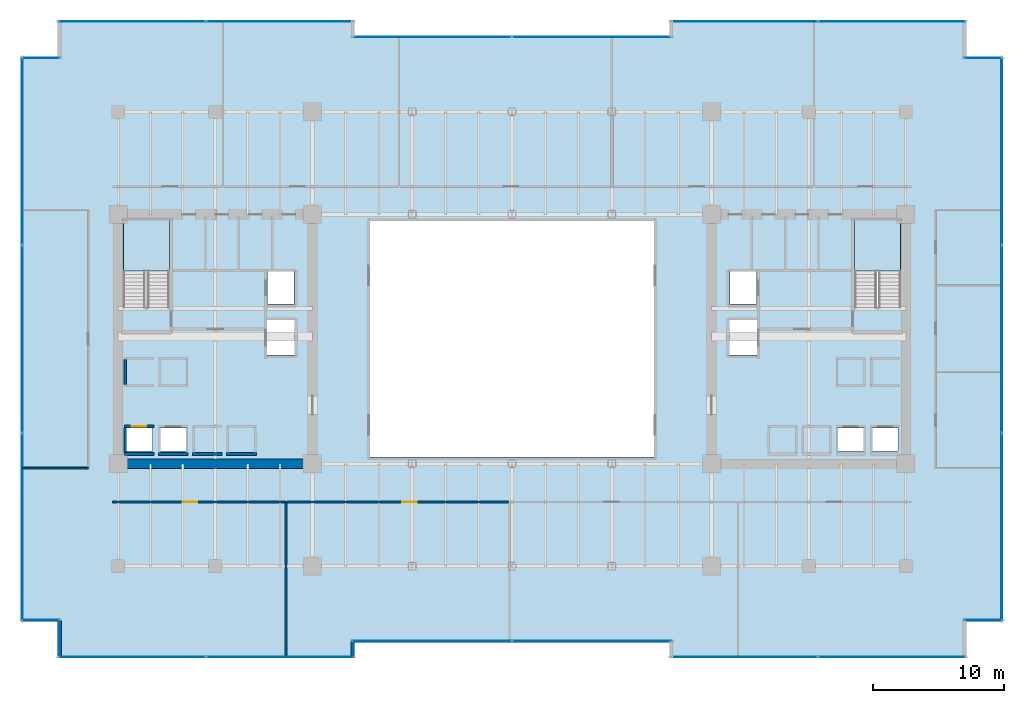
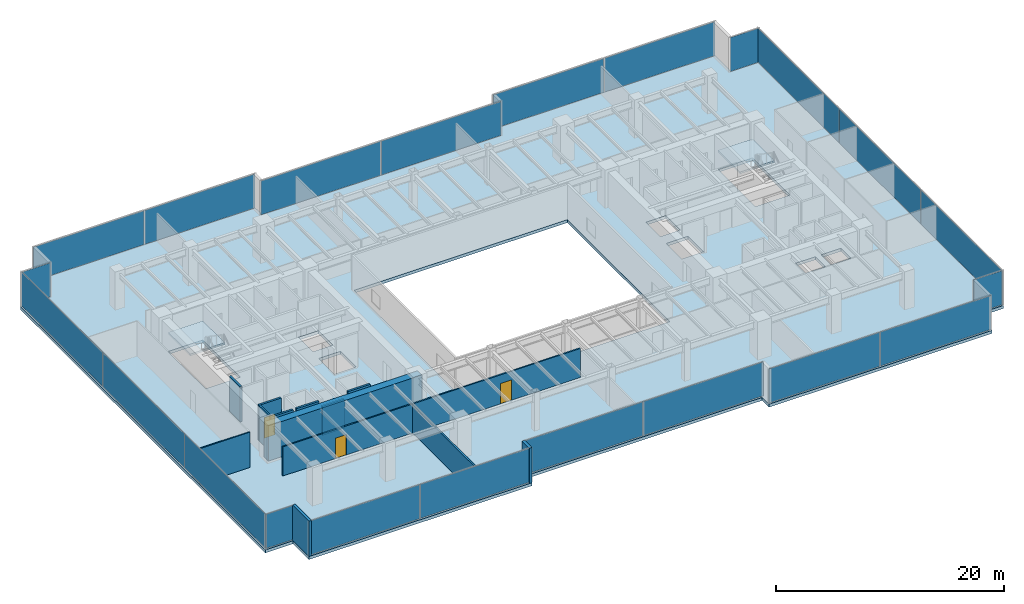
# One storey, part 28 of 35: 22 plates, 14 walls, 3 doors, 3 slabs, 3 openings, 14 elements without a shape of their own.
"""IFC4 building model written with IfcOpenShell, lengths in metres."""

from ifc_helpers import new_model, si_unit, direction, frame, frame_2d, origin, origin_2d, place, context, subcontext, project, spatial, polyline, rectangle, outline, extrude, source, transform, mapped, material, layer, layer_set, type_object, type_shapes, element, fill, aggregate, save


model = new_model("IFC4")

# Units and contexts
model_context = context("Model", 3, precision=1e-05, world=origin(), true_north=direction((0.0, 1.0)))
body_context = subcontext(model_context, "Body", "Model", "MODEL_VIEW")
ifc_project = project(units=[si_unit("LENGTHUNIT", "METRE"), si_unit("AREAUNIT", "SQUARE_METRE"), si_unit("VOLUMEUNIT", "CUBIC_METRE"), si_unit("PLANEANGLEUNIT", "RADIAN"), si_unit("MASSUNIT", "GRAM", prefix="KILO")], contexts=[model_context])

# Site, building, storey
site_placement = place(None, origin())
site = spatial("IfcSite", under=ifc_project, at=site_placement, CompositionType="ELEMENT")
building_placement = place(site_placement, origin())
building = spatial("IfcBuilding", under=site, at=building_placement, Name="Haelvirn Gate Laboratories", CompositionType="ELEMENT")
storey_placement = place(building_placement, frame((0.0, 0.0, 66.199951171875)))
storey = spatial("IfcBuildingStorey", under=building, at=storey_placement, Name="L16", CompositionType="ELEMENT", Elevation=66.199951171875)

# Stair, slab
ifc_material_1 = material(Name="Concrete C40/50", Category="concrete")
stair_type = type_object("IfcStairType", Name="ST-DOG-1650-R22", PredefinedType="HALF_TURN_STAIR", material=ifc_material_1)
stair_1_placement = place(storey_placement, origin())
stair_1 = element("IfcStair", 1, at=stair_1_placement, inside=storey, type_object=stair_type, Name="L16 Escape Stair ST1", PredefinedType="HALF_TURN_STAIR")
ifc_layer_1 = layer(ifc_material_1, 0.199951171875, Name="SL-STAIR-LND")
ifc_layer_set_1 = layer_set([ifc_layer_1], Name="Concrete C40/50")
slab_type_1 = type_object("IfcSlabType", Name="SL-STAIR-LND", PredefinedType="LANDING", material=ifc_layer_set_1)
slab_1_placement = place(storey_placement, frame((0.0, 0.0, 1.85009765625)))
slab_1 = element("IfcSlab", 2, at=slab_1_placement, type_object=slab_type_1, Name="ST1 landing 1", PredefinedType="LANDING", context=body_context, shape_type="SweptSolid", body=[
    extrude(outline(polyline([(11.300048828125, 29.5), (11.300048828125, 33.35009765625), (7.800048828125, 33.35009765625), (7.800048828125, 29.5), (11.300048828125, 29.5)])), origin(), (0.0, 0.0, 1.0), 0.199951171875),
])
aggregate(stair_1, [slab_1])

stair_2_placement = place(storey_placement, origin())
stair_2 = element("IfcStair", 3, at=stair_2_placement, inside=storey, type_object=stair_type, Name="L16 Escape Stair ST2", PredefinedType="HALF_TURN_STAIR")
slab_2_placement = place(storey_placement, frame((0.0, 0.0, 1.85009765625)))
slab_2 = element("IfcSlab", 4, at=slab_2_placement, type_object=slab_type_1, Name="ST2 landing 1", PredefinedType="LANDING", context=body_context, shape_type="SweptSolid", body=[
    extrude(outline(polyline([(67.0, 29.5), (67.0, 33.35009765625), (63.5, 33.35009765625), (63.5, 29.5), (67.0, 29.5)])), origin(), (0.0, 0.0, 1.0), 0.199951171875),
])
aggregate(stair_2, [slab_2])

# Slab
ifc_material_2 = material(Name="Concrete C50/60", Category="concrete")
ifc_layer_2 = layer(ifc_material_2, 0.320068359375, Name="SL-Z1-320")
ifc_layer_set_2 = layer_set([ifc_layer_2], Name="Concrete C50/60")
slab_type_2 = type_object("IfcSlabType", Name="SL-Z1-320", PredefinedType="FLOOR", material=ifc_layer_set_2)
slab_3_placement = place(storey_placement, frame((0.0, 0.0, -0.320068359375)))
element("IfcSlab", 5, at=slab_3_placement, inside=storey, type_object=slab_type_2, Name="L16 Structural Slab MAIN", PredefinedType="FLOOR", context=body_context, shape_type="SweptSolid", body=[
    extrude(outline(polyline([(2.800048828125, 0.0), (25.39990234375, 0.0), (25.39990234375, 1.199951171875), (49.39990234375, 1.199951171875), (49.39990234375, 0.0), (72.0, 0.0), (72.0, 2.800048828125), (74.800048828125, 2.800048828125), (74.800048828125, 45.800048828125), (72.0, 45.800048828125), (72.0, 48.60009765625), (49.39990234375, 48.60009765625), (49.39990234375, 47.39990234375), (25.39990234375, 47.39990234375), (25.39990234375, 48.60009765625), (2.800048828125, 48.60009765625), (2.800048828125, 45.800048828125), (0.0, 45.800048828125), (0.0, 2.800048828125), (2.800048828125, 2.800048828125), (2.800048828125, 0.0)]), holes=[polyline([(26.60009765625, 15.300048828125), (48.199951171875, 15.300048828125), (48.199951171875, 33.300048828125), (26.60009765625, 33.300048828125), (26.60009765625, 15.300048828125)]), polyline([(11.300048828125, 26.780029296875), (11.300048828125, 33.35009765625), (7.800048828125, 33.35009765625), (7.800048828125, 26.780029296875), (11.300048828125, 26.780029296875)]), polyline([(67.0, 26.780029296875), (67.0, 33.35009765625), (63.5, 33.35009765625), (63.5, 26.780029296875), (67.0, 26.780029296875)]), polyline([(7.989990234375, 15.77001953125), (10.010009765625, 15.77001953125), (10.010009765625, 17.510009765625), (7.989990234375, 17.510009765625), (7.989990234375, 15.77001953125)]), polyline([(10.590087890625, 15.77001953125), (12.610107421875, 15.77001953125), (12.610107421875, 17.510009765625), (10.590087890625, 17.510009765625), (10.590087890625, 15.77001953125)]), polyline([(18.7900390625, 26.969970703125), (20.81005859375, 26.969970703125), (20.81005859375, 29.510009765625), (18.7900390625, 29.510009765625), (18.7900390625, 26.969970703125)]), polyline([(18.68994140625, 23.070068359375), (20.909912109375, 23.070068359375), (20.909912109375, 25.81005859375), (18.68994140625, 25.81005859375), (18.68994140625, 23.070068359375)]), polyline([(64.7900390625, 15.77001953125), (66.81005859375, 15.77001953125), (66.81005859375, 17.510009765625), (64.7900390625, 17.510009765625), (64.7900390625, 15.77001953125)]), polyline([(62.18994140625, 15.77001953125), (64.2099609375, 15.77001953125), (64.2099609375, 17.510009765625), (62.18994140625, 17.510009765625), (62.18994140625, 15.77001953125)]), polyline([(53.989990234375, 26.969970703125), (56.010009765625, 26.969970703125), (56.010009765625, 29.510009765625), (53.989990234375, 29.510009765625), (53.989990234375, 26.969970703125)]), polyline([(53.889892578125, 23.070068359375), (56.110107421875, 23.070068359375), (56.110107421875, 25.81005859375), (53.889892578125, 25.81005859375), (53.889892578125, 23.070068359375)])]), origin(), (0.0, 0.0, 1.0), 0.320068359375),
])

# Curtain wall, plates
ifc_material_3 = material(Name="Anodised bronze unitised aluminium & triple low-E glass", Category="aluminium")
ifc_layer_3 = layer(ifc_material_3, 0.18408203125, Name="CW-SYS-2")
ifc_layer_set_3 = layer_set([ifc_layer_3], Name="Anodised bronze unitised aluminium & triple low-E glass")
curtain_wall_type_1 = type_object("IfcCurtainWallType", Name="CW-SYS-2", PredefinedType="NOTDEFINED", material=ifc_layer_set_3)
curtain_wall_1_placement = place(storey_placement, origin())
curtain_wall_1 = element("IfcCurtainWall", 6, at=curtain_wall_1_placement, inside=storey, type_object=curtain_wall_type_1, Name="L16 Unitised Curtain Wall CW-L16-P0-E02-1", PredefinedType="NOTDEFINED")
ifc_material_4 = material(Name="Bronze solar-control triple low-E IGU 44 mm", Category="glass")
ifc_layer_4 = layer(ifc_material_4, 0.0439453125, Name="CWP-IGU-44")
ifc_layer_set_4 = layer_set([ifc_layer_4], Name="Bronze solar-control triple low-E IGU 44 mm")
plate_type_1 = type_object("IfcPlateType", Name="CWP-IGU-44", PredefinedType="CURTAIN_PANEL", material=ifc_layer_set_4)
shared_shape_1 = source(origin(), body_context, "Body", "SweptSolid", [
    extrude(rectangle(XDim=12.12744140625, YDim=0.0439453125, at=origin_2d()), origin(), (0.0, 0.0, 1.0), 3.639892578125),
])
plate_1_placement = place(storey_placement, frame((31.298828125, 1.300048828125, 0.0703125), z_axis=(0.0, 0.0, 1.0), x_axis=(1.0, 0.0, 0.0)))
plate_1 = element("IfcPlate", 7, at=plate_1_placement, type_object=plate_type_1, Name="CW2 panel 1.1", PredefinedType="CURTAIN_PANEL", context=body_context, shape_type="MappedRepresentation", body=[
    mapped(shared_shape_1, transform((0.0, 0.0, 0.0), scale=1.0)),
])
plate_2_placement = place(storey_placement, frame((43.501220703125, 1.300048828125, 0.0703125), z_axis=(0.0, 0.0, 1.0), x_axis=(1.0, 0.0, 0.0)))
plate_2 = element("IfcPlate", 8, at=plate_2_placement, type_object=plate_type_1, Name="CW2 panel 2.1", PredefinedType="CURTAIN_PANEL", context=body_context, shape_type="MappedRepresentation", body=[
    mapped(shared_shape_1, transform((0.0, 0.0, 0.0), scale=1.0)),
])
aggregate(curtain_wall_1, [plate_1, plate_2])

curtain_wall_2_placement = place(storey_placement, origin())
curtain_wall_2 = element("IfcCurtainWall", 9, at=curtain_wall_2_placement, inside=storey, type_object=curtain_wall_type_1, Name="L16 Unitised Curtain Wall CW-L16-P0-E12-1", PredefinedType="NOTDEFINED")
plate_3_placement = place(storey_placement, frame((31.298828125, 47.300048828125, 0.0703125), z_axis=(0.0, 0.0, 1.0), x_axis=(1.0, 0.0, 0.0)))
plate_3 = element("IfcPlate", 10, at=plate_3_placement, type_object=plate_type_1, Name="CW2 panel 1.1", PredefinedType="CURTAIN_PANEL", context=body_context, shape_type="MappedRepresentation", body=[
    mapped(shared_shape_1, transform((0.0, 0.0, 0.0), scale=1.0)),
])
plate_4_placement = place(storey_placement, frame((43.501220703125, 47.300048828125, 0.0703125), z_axis=(0.0, 0.0, 1.0), x_axis=(1.0, 0.0, 0.0)))
plate_4 = element("IfcPlate", 11, at=plate_4_placement, type_object=plate_type_1, Name="CW2 panel 2.1", PredefinedType="CURTAIN_PANEL", context=body_context, shape_type="MappedRepresentation", body=[
    mapped(shared_shape_1, transform((0.0, 0.0, 0.0), scale=1.0)),
])
aggregate(curtain_wall_2, [plate_3, plate_4])

curtain_wall_3_placement = place(storey_placement, origin())
curtain_wall_3 = element("IfcCurtainWall", 12, at=curtain_wall_3_placement, inside=storey, type_object=curtain_wall_type_1, Name="L16 Unitised Curtain Wall CW-L16-P0-E00-1", PredefinedType="NOTDEFINED")
shared_shape_2 = source(origin(), body_context, "Body", "SweptSolid", [
    extrude(rectangle(XDim=11.1875, YDim=0.0439453125, at=origin_2d()), origin(), (0.0, 0.0, 1.0), 3.639892578125),
])
plate_5_placement = place(storey_placement, frame((8.46875, 0.10009765625, 0.0703125), z_axis=(0.0, 0.0, 1.0), x_axis=(1.0, 0.0, 0.0)))
plate_5 = element("IfcPlate", 13, at=plate_5_placement, type_object=plate_type_1, Name="CW2 panel 1.1", PredefinedType="CURTAIN_PANEL", context=body_context, shape_type="MappedRepresentation", body=[
    mapped(shared_shape_2, transform((0.0, 0.0, 0.0), scale=1.0)),
])
plate_6_placement = place(storey_placement, frame((19.731201171875, 0.10009765625, 0.0703125), z_axis=(0.0, 0.0, 1.0), x_axis=(1.0, 0.0, 0.0)))
plate_6 = element("IfcPlate", 14, at=plate_6_placement, type_object=plate_type_1, Name="CW2 panel 2.1", PredefinedType="CURTAIN_PANEL", context=body_context, shape_type="MappedRepresentation", body=[
    mapped(shared_shape_2, transform((0.0, 0.0, 0.0), scale=1.0)),
])
aggregate(curtain_wall_3, [plate_5, plate_6])

curtain_wall_4_placement = place(storey_placement, origin())
curtain_wall_4 = element("IfcCurtainWall", 15, at=curtain_wall_4_placement, inside=storey, type_object=curtain_wall_type_1, Name="L16 Unitised Curtain Wall CW-L16-P0-E04-1", PredefinedType="NOTDEFINED")
plate_7_placement = place(storey_placement, frame((55.06884765625, 0.10009765625, 0.0703125), z_axis=(0.0, 0.0, 1.0), x_axis=(1.0, 0.0, 0.0)))
plate_7 = element("IfcPlate", 16, at=plate_7_placement, type_object=plate_type_1, Name="CW2 panel 1.1", PredefinedType="CURTAIN_PANEL", context=body_context, shape_type="MappedRepresentation", body=[
    mapped(shared_shape_2, transform((0.0, 0.0, 0.0), scale=1.0)),
])
plate_8_placement = place(storey_placement, frame((66.331298828125, 0.10009765625, 0.0703125), z_axis=(0.0, 0.0, 1.0), x_axis=(1.0, 0.0, 0.0)))
plate_8 = element("IfcPlate", 17, at=plate_8_placement, type_object=plate_type_1, Name="CW2 panel 2.1", PredefinedType="CURTAIN_PANEL", context=body_context, shape_type="MappedRepresentation", body=[
    mapped(shared_shape_2, transform((0.0, 0.0, 0.0), scale=1.0)),
])
aggregate(curtain_wall_4, [plate_7, plate_8])

curtain_wall_5_placement = place(storey_placement, origin())
curtain_wall_5 = element("IfcCurtainWall", 18, at=curtain_wall_5_placement, inside=storey, type_object=curtain_wall_type_1, Name="L16 Unitised Curtain Wall CW-L16-P0-E10-1", PredefinedType="NOTDEFINED")
plate_9_placement = place(storey_placement, frame((55.06884765625, 48.5, 0.0703125), z_axis=(0.0, 0.0, 1.0), x_axis=(1.0, 0.0, 0.0)))
plate_9 = element("IfcPlate", 19, at=plate_9_placement, type_object=plate_type_1, Name="CW2 panel 1.1", PredefinedType="CURTAIN_PANEL", context=body_context, shape_type="MappedRepresentation", body=[
    mapped(shared_shape_2, transform((0.0, 0.0, 0.0), scale=1.0)),
])
plate_10_placement = place(storey_placement, frame((66.331298828125, 48.5, 0.0703125), z_axis=(0.0, 0.0, 1.0), x_axis=(1.0, 0.0, 0.0)))
plate_10 = element("IfcPlate", 20, at=plate_10_placement, type_object=plate_type_1, Name="CW2 panel 2.1", PredefinedType="CURTAIN_PANEL", context=body_context, shape_type="MappedRepresentation", body=[
    mapped(shared_shape_2, transform((0.0, 0.0, 0.0), scale=1.0)),
])
aggregate(curtain_wall_5, [plate_9, plate_10])

curtain_wall_6_placement = place(storey_placement, origin())
curtain_wall_6 = element("IfcCurtainWall", 21, at=curtain_wall_6_placement, inside=storey, type_object=curtain_wall_type_1, Name="L16 Unitised Curtain Wall CW-L16-P0-E14-1", PredefinedType="NOTDEFINED")
plate_11_placement = place(storey_placement, frame((8.46875, 48.5, 0.0703125), z_axis=(0.0, 0.0, 1.0), x_axis=(1.0, 0.0, 0.0)))
plate_11 = element("IfcPlate", 22, at=plate_11_placement, type_object=plate_type_1, Name="CW2 panel 1.1", PredefinedType="CURTAIN_PANEL", context=body_context, shape_type="MappedRepresentation", body=[
    mapped(shared_shape_2, transform((0.0, 0.0, 0.0), scale=1.0)),
])
plate_12_placement = place(storey_placement, frame((19.731201171875, 48.5, 0.0703125), z_axis=(0.0, 0.0, 1.0), x_axis=(1.0, 0.0, 0.0)))
plate_12 = element("IfcPlate", 23, at=plate_12_placement, type_object=plate_type_1, Name="CW2 panel 2.1", PredefinedType="CURTAIN_PANEL", context=body_context, shape_type="MappedRepresentation", body=[
    mapped(shared_shape_2, transform((0.0, 0.0, 0.0), scale=1.0)),
])
aggregate(curtain_wall_6, [plate_11, plate_12])

# Curtain wall, plate
ifc_layer_5 = layer(ifc_material_3, 0.181884765625, Name="CW-SYS-5")
ifc_layer_set_5 = layer_set([ifc_layer_5], Name="Anodised bronze unitised aluminium & triple low-E glass")
curtain_wall_type_2 = type_object("IfcCurtainWallType", Name="CW-SYS-5", PredefinedType="NOTDEFINED", material=ifc_layer_set_5)
curtain_wall_7_placement = place(storey_placement, origin())
curtain_wall_7 = element("IfcCurtainWall", 24, at=curtain_wall_7_placement, inside=storey, type_object=curtain_wall_type_2, Name="L16 Unitised Curtain Wall CW-L16-P0-E06-1", PredefinedType="NOTDEFINED")
ifc_material_5 = material(Name="Clear low-iron notched-corner triple IGU 42 mm", Category="glass")
ifc_layer_6 = layer(ifc_material_5, 0.0419921875, Name="CWP-NTC-42")
ifc_layer_set_6 = layer_set([ifc_layer_6], Name="Clear low-iron notched-corner triple IGU 42 mm")
plate_type_2 = type_object("IfcPlateType", Name="CWP-NTC-42", PredefinedType="CURTAIN_PANEL", material=ifc_layer_set_6)
shared_shape_3 = source(origin(), body_context, "Body", "SweptSolid", [
    extrude(rectangle(XDim=2.8798828125, YDim=0.0419921875, at=origin_2d()), origin(), (0.0, 0.0, 1.0), 3.64990234375),
])
type_shapes(plate_type_2, [shared_shape_3])
plate_13_placement = place(storey_placement, frame((73.280029296875, 2.89990234375, 0.065185546875), z_axis=(0.0, 0.0, 1.0), x_axis=(1.0, 0.0, 0.0)))
plate_13 = element("IfcPlate", 25, at=plate_13_placement, type_object=plate_type_2, Name="CW5 panel 1.1", PredefinedType="CURTAIN_PANEL", context=body_context, shape_type="MappedRepresentation", body=[
    mapped(shared_shape_3, transform((0.0, 0.0, 0.0), scale=1.0)),
])
aggregate(curtain_wall_7, [plate_13])

curtain_wall_8_placement = place(storey_placement, origin())
curtain_wall_8 = element("IfcCurtainWall", 26, at=curtain_wall_8_placement, inside=storey, type_object=curtain_wall_type_2, Name="L16 Unitised Curtain Wall CW-L16-P0-E08-1", PredefinedType="NOTDEFINED")
plate_14_placement = place(storey_placement, frame((73.280029296875, 45.699951171875, 0.065185546875), z_axis=(0.0, 0.0, 1.0), x_axis=(1.0, 0.0, 0.0)))
plate_14 = element("IfcPlate", 27, at=plate_14_placement, type_object=plate_type_2, Name="CW5 panel 1.1", PredefinedType="CURTAIN_PANEL", context=body_context, shape_type="MappedRepresentation", body=[
    mapped(shared_shape_3, transform((0.0, 0.0, 0.0), scale=1.0)),
])
aggregate(curtain_wall_8, [plate_14])

curtain_wall_9_placement = place(storey_placement, origin())
curtain_wall_9 = element("IfcCurtainWall", 28, at=curtain_wall_9_placement, inside=storey, type_object=curtain_wall_type_2, Name="L16 Unitised Curtain Wall CW-L16-P0-E16-1", PredefinedType="NOTDEFINED")
plate_15_placement = place(storey_placement, frame((1.52001953125, 45.699951171875, 0.065185546875), z_axis=(0.0, 0.0, 1.0), x_axis=(1.0, 0.0, 0.0)))
plate_15 = element("IfcPlate", 29, at=plate_15_placement, type_object=plate_type_2, Name="CW5 panel 1.1", PredefinedType="CURTAIN_PANEL", context=body_context, shape_type="MappedRepresentation", body=[
    mapped(shared_shape_3, transform((0.0, 0.0, 0.0), scale=1.0)),
])
aggregate(curtain_wall_9, [plate_15])

curtain_wall_10_placement = place(storey_placement, origin())
curtain_wall_10 = element("IfcCurtainWall", 30, at=curtain_wall_10_placement, inside=storey, type_object=curtain_wall_type_2, Name="L16 Unitised Curtain Wall CW-L16-P0-E18-1", PredefinedType="NOTDEFINED")
plate_16_placement = place(storey_placement, frame((1.52001953125, 2.89990234375, 0.065185546875), z_axis=(0.0, 0.0, 1.0), x_axis=(1.0, 0.0, 0.0)))
plate_16 = element("IfcPlate", 31, at=plate_16_placement, type_object=plate_type_2, Name="CW5 panel 1.1", PredefinedType="CURTAIN_PANEL", context=body_context, shape_type="MappedRepresentation", body=[
    mapped(shared_shape_3, transform((0.0, 0.0, 0.0), scale=1.0)),
])
aggregate(curtain_wall_10, [plate_16])

# Curtain wall, plates
curtain_wall_11_placement = place(storey_placement, origin())
curtain_wall_11 = element("IfcCurtainWall", 32, at=curtain_wall_11_placement, inside=storey, type_object=curtain_wall_type_1, Name="L16 Unitised Curtain Wall CW-L16-P0-E07", PredefinedType="NOTDEFINED")
shared_shape_4 = source(origin(), body_context, "Body", "SweptSolid", [
    extrude(rectangle(XDim=14.220947265625, YDim=0.0439453125, at=origin_2d()), origin(), (0.0, 0.0, 1.0), 3.639892578125),
])
plate_17_placement = place(storey_placement, frame((74.699951171875, 9.9853515625, 0.0703125), z_axis=(0.0, 0.0, 1.0), x_axis=(0.0, 1.0, 0.0)))
plate_17 = element("IfcPlate", 33, at=plate_17_placement, type_object=plate_type_1, Name="CW2 panel 1.1", PredefinedType="CURTAIN_PANEL", context=body_context, shape_type="MappedRepresentation", body=[
    mapped(shared_shape_4, transform((0.0, 0.0, 0.0), scale=1.0)),
])
plate_18_placement = place(storey_placement, frame((74.699951171875, 38.614501953125, 0.0703125), z_axis=(0.0, 0.0, 1.0), x_axis=(0.0, 1.0, 0.0)))
plate_18 = element("IfcPlate", 34, at=plate_18_placement, type_object=plate_type_1, Name="CW2 panel 3.1", PredefinedType="CURTAIN_PANEL", context=body_context, shape_type="MappedRepresentation", body=[
    mapped(shared_shape_4, transform((0.0, 0.0, 0.0), scale=1.0)),
])

curtain_wall_12_placement = place(storey_placement, origin())
curtain_wall_12 = element("IfcCurtainWall", 35, at=curtain_wall_12_placement, inside=storey, type_object=curtain_wall_type_1, Name="L16 Unitised Curtain Wall CW-L16-P0-E17", PredefinedType="NOTDEFINED")
plate_19_placement = place(storey_placement, frame((0.10009765625, 38.614501953125, 0.0703125), z_axis=(0.0, 0.0, 1.0), x_axis=(0.0, -1.0, 0.0)))
plate_19 = element("IfcPlate", 36, at=plate_19_placement, type_object=plate_type_1, Name="CW2 panel 1.1", PredefinedType="CURTAIN_PANEL", context=body_context, shape_type="MappedRepresentation", body=[
    mapped(shared_shape_4, transform((0.0, 0.0, 0.0), scale=1.0)),
])
plate_20_placement = place(storey_placement, frame((0.10009765625, 9.9853515625, 0.0703125), z_axis=(0.0, 0.0, 1.0), x_axis=(0.0, -1.0, 0.0)))
plate_20 = element("IfcPlate", 37, at=plate_20_placement, type_object=plate_type_1, Name="CW2 panel 3.1", PredefinedType="CURTAIN_PANEL", context=body_context, shape_type="MappedRepresentation", body=[
    mapped(shared_shape_4, transform((0.0, 0.0, 0.0), scale=1.0)),
])

# Plate
shared_shape_5 = source(origin(), body_context, "Body", "SweptSolid", [
    extrude(rectangle(XDim=14.25830078125, YDim=0.0439453125, at=origin_2d()), origin(), (0.0, 0.0, 1.0), 3.639892578125),
])
type_shapes(plate_type_1, [shared_shape_1, shared_shape_2, shared_shape_4, shared_shape_5])
plate_21_placement = place(storey_placement, frame((74.699951171875, 24.300048828125, 0.0703125), z_axis=(0.0, 0.0, 1.0), x_axis=(0.0, 1.0, 0.0)))
plate_21 = element("IfcPlate", 38, at=plate_21_placement, type_object=plate_type_1, Name="CW2 panel 2.1", PredefinedType="CURTAIN_PANEL", context=body_context, shape_type="MappedRepresentation", body=[
    mapped(shared_shape_5, transform((0.0, 0.0, 0.0), scale=1.0)),
])

aggregate(curtain_wall_11, [plate_17, plate_21, plate_18])

plate_22_placement = place(storey_placement, frame((0.10009765625, 24.300048828125, 0.0703125), z_axis=(0.0, 0.0, 1.0), x_axis=(0.0, -1.0, 0.0)))
plate_22 = element("IfcPlate", 39, at=plate_22_placement, type_object=plate_type_1, Name="CW2 panel 2.1", PredefinedType="CURTAIN_PANEL", context=body_context, shape_type="MappedRepresentation", body=[
    mapped(shared_shape_5, transform((0.0, 0.0, 0.0), scale=1.0)),
])

aggregate(curtain_wall_12, [plate_19, plate_22, plate_20])

# Walls
ifc_material_6 = material(Name="Thermally-broken bronze aluminium rainscreen & mineral wool", Category="aluminium")
ifc_layer_7 = layer(ifc_material_6, 0.280029296875, Name="EW-TERR-280")
ifc_layer_set_7 = layer_set([ifc_layer_7], Name="Thermally-broken bronze aluminium rainscreen & mineral wool")
wall_type_1 = type_object("IfcWallType", Name="EW-TERR-280", PredefinedType="STANDARD", material=ifc_layer_set_7)
wall_1_placement = place(storey_placement, frame((25.260009765625, 0.0, 0.0), z_axis=(0.0, 0.0, 1.0), x_axis=(0.0, 1.0, 0.0)))
element("IfcWall", 40, at=wall_1_placement, inside=storey, type_object=wall_type_1, Name="L16 Atrium Recess Bronze Return Wall 01", PredefinedType="STANDARD", context=body_context, shape_type="SweptSolid", body=[
    extrude(rectangle(XDim=1.2880859375, YDim=0.280029296875, at=frame_2d((0.64404296875, 0.0))), origin(), (0.0, 0.0, 1.0), 3.780029296875),
])
wall_2_placement = place(storey_placement, frame((2.93994140625, 2.887939453125, 0.0), z_axis=(0.0, 0.0, 1.0), x_axis=(0.0, -1.0, 0.0)))
element("IfcWall", 41, at=wall_2_placement, inside=storey, type_object=wall_type_1, Name="L16 Atrium Recess Bronze Return Wall 19", PredefinedType="STANDARD", context=body_context, shape_type="SweptSolid", body=[
    extrude(rectangle(XDim=2.887939453125, YDim=0.280029296875, at=frame_2d((1.44384765625, 0.0))), origin(), (0.0, 0.0, 1.0), 3.780029296875),
])
ifc_material_7 = material(Name="Double-layer acoustic gypsum laboratory partition", Category="gypsum")
ifc_layer_8 = layer(ifc_material_7, 0.159912109375, Name="IW-ACOUST-160")
ifc_layer_set_8 = layer_set([ifc_layer_8], Name="Double-layer acoustic gypsum laboratory partition")
wall_type_2 = type_object("IfcWallType", Name="IW-ACOUST-160", PredefinedType="PARTITIONING", material=ifc_layer_set_8)
wall_3_placement = place(storey_placement, frame((20.199951171875, 0.110107421875, 0.0), z_axis=(0.0, 0.0, 1.0), x_axis=(0.0, 1.0, 0.0)))
element("IfcWall", 42, at=wall_3_placement, inside=storey, type_object=wall_type_2, Name="L16 Interior Wall IW-L16-SDIV-01", PredefinedType="PARTITIONING", context=body_context, shape_type="SweptSolid", body=[
    extrude(rectangle(XDim=11.77978515625, YDim=0.159912109375, at=frame_2d((5.889892578125, 0.0))), origin(), (0.0, 0.0, 1.0), 3.01513671875),
])
ifc_material_8 = material(Name="Lightweight acoustic gypsum board partition", Category="gypsum")
ifc_layer_9 = layer(ifc_material_8, 0.1201171875, Name="IW-PART-120")
ifc_layer_set_9 = layer_set([ifc_layer_9], Name="Lightweight acoustic gypsum board partition")
wall_type_3 = type_object("IfcWallType", Name="IW-PART-120", PredefinedType="PARTITIONING", material=ifc_layer_set_9)
wall_4_placement = place(storey_placement, frame((0.110107421875, 14.465087890625, 0.0), z_axis=(0.0, 0.0, 1.0), x_axis=(1.0, 0.0, 0.0)))
element("IfcWall", 43, at=wall_4_placement, inside=storey, type_object=wall_type_3, Name="L16 Interior Wall IW-L16-WCAP-S", PredefinedType="PARTITIONING", context=body_context, shape_type="SweptSolid", body=[
    extrude(rectangle(XDim=5.019775390625, YDim=0.1201171875, at=frame_2d((2.509765625, 0.0))), origin(), (0.0, 0.0, 1.0), 3.780029296875),
])

# Wall, opening, door
ifc_material_9 = material(Name="Acoustic mineral-wool gypsum board partition", Category="gypsum")
ifc_layer_10 = layer(ifc_material_9, 0.139892578125, Name="IW-PART-140")
ifc_layer_set_10 = layer_set([ifc_layer_10], Name="Acoustic mineral-wool gypsum board partition")
wall_type_4 = type_object("IfcWallType", Name="IW-PART-140", PredefinedType="PARTITIONING", material=ifc_layer_set_10)
wall_5_placement = place(storey_placement, frame((6.97998046875, 11.889892578125, 0.0), z_axis=(0.0, 0.0, 1.0), x_axis=(1.0, 0.0, 0.0)))
wall_5 = element("IfcWall", 44, at=wall_5_placement, inside=storey, type_object=wall_type_4, Name="L16 Interior Wall IW-L16-SCORR-01", PredefinedType="PARTITIONING", context=body_context, shape_type="SweptSolid", body=[
    extrude(rectangle(XDim=13.14013671875, YDim=0.139892578125, at=frame_2d((6.570068359375, 0.0))), origin(), (0.0, 0.0, 1.0), 3.114990234375),
])
opening_1_placement = place(wall_5_placement, frame((5.339599609375, 0.0, 0.0)))
opening_1 = element("IfcOpeningElement", 45, at=opening_1_placement, cuts=wall_5, Name="Opening D1", PredefinedType="OPENING", context=body_context, shape_type="SweptSolid", body=[
    extrude(rectangle(XDim=1.10009765625, YDim=2.179931640625, at=frame_2d((0.550048828125, 1.08984375))), frame((0.0, 0.080078125, 0.0), z_axis=(0.0, -1.0, 0.0), x_axis=(1.0, 0.0, 0.0)), (0.0, 0.0, 1.0), 0.159912109375),
])
ifc_material_10 = material(Name="Vision-panel acoustic solid-core timber lab door", Category="wood")
door_type_1 = type_object("IfcDoorType", Name="DR-LAB-1100", OperationType="NOTDEFINED", PredefinedType="DOOR", material=ifc_material_10)
shared_shape_6 = source(origin(), body_context, "Body", "SweptSolid", [
    extrude(rectangle(XDim=1.10009765625, YDim=2.179931640625, at=frame_2d((0.550048828125, 1.08984375))), frame((0.0, 0.02490234375, 0.0), z_axis=(0.0, -1.0, 0.0), x_axis=(1.0, 0.0, 0.0)), (0.0, 0.0, 1.0), 0.050048828125),
])
type_shapes(door_type_1, [shared_shape_6])
door_1_placement = place(opening_1_placement, origin())
door_1 = element("IfcDoor", 46, at=door_1_placement, inside=storey, type_object=door_type_1, Name="L16 Translational Data Office Door S1", OperationType="SINGLE_SWING_LEFT", OverallHeight=2.179931640625, OverallWidth=1.10009765625, PredefinedType="DOOR", context=body_context, shape_type="MappedRepresentation", body=[
    mapped(shared_shape_6, transform((0.0, 0.0, 0.0), scale=1.0)),
])
fill(opening_1, door_1)

wall_6_placement = place(storey_placement, frame((20.280029296875, 11.889892578125, 0.0), z_axis=(0.0, 0.0, 1.0), x_axis=(1.0, 0.0, 0.0)))
wall_6 = element("IfcWall", 47, at=wall_6_placement, inside=storey, type_object=wall_type_4, Name="L16 Interior Wall IW-L16-SCORR-02", PredefinedType="PARTITIONING", context=body_context, shape_type="SweptSolid", body=[
    extrude(rectangle(XDim=16.840087890625, YDim=0.139892578125, at=frame_2d((8.419921875, 0.0))), origin(), (0.0, 0.0, 1.0), 3.114990234375),
])
opening_2_placement = place(wall_6_placement, frame((8.7724609375, 0.0, 0.0)))
opening_2 = element("IfcOpeningElement", 48, at=opening_2_placement, cuts=wall_6, Name="Opening D1", PredefinedType="OPENING", context=body_context, shape_type="SweptSolid", body=[
    extrude(rectangle(XDim=1.10009765625, YDim=2.179931640625, at=frame_2d((0.550048828125, 1.08984375))), frame((0.0, 0.080078125, 0.0), z_axis=(0.0, -1.0, 0.0), x_axis=(1.0, 0.0, 0.0)), (0.0, 0.0, 1.0), 0.159912109375),
])
door_2_placement = place(opening_2_placement, origin())
door_2 = element("IfcDoor", 49, at=door_2_placement, inside=storey, type_object=door_type_1, Name="L16 Computational Write-Up Office Door S2", OperationType="SINGLE_SWING_RIGHT", OverallHeight=2.179931640625, OverallWidth=1.10009765625, PredefinedType="DOOR", context=body_context, shape_type="MappedRepresentation", body=[
    mapped(shared_shape_6, transform((0.0, 0.0, 0.0), scale=1.0)),
])
fill(opening_2, door_2)

# Walls
ifc_layer_11 = layer(ifc_material_1, 0.179931640625, Name="IW-SHAFT-180")
ifc_layer_set_11 = layer_set([ifc_layer_11], Name="Concrete C40/50")
wall_type_5 = type_object("IfcWallType", Name="IW-SHAFT-180", PredefinedType="SOLIDWALL", material=ifc_layer_set_11)
wall_7_placement = place(storey_placement, frame((7.949951171875, 15.64990234375, 0.0), z_axis=(0.0, 0.0, 1.0), x_axis=(0.0, 1.0, 0.0)))
element("IfcWall", 50, at=wall_7_placement, inside=storey, type_object=wall_type_5, Name="L16 Interior Wall IW-L16-PL1-SD", PredefinedType="SOLIDWALL", context=body_context, shape_type="SweptSolid", body=[
    extrude(rectangle(XDim=1.900146484375, YDim=0.179931640625, at=frame_2d((0.9501953125, 0.0))), origin(), (0.0, 0.0, 1.0), 3.780029296875),
])
wall_8_placement = place(storey_placement, frame((7.949951171875, 20.85009765625, 0.0), z_axis=(0.0, 0.0, 1.0), x_axis=(0.0, 1.0, 0.0)))
element("IfcWall", 51, at=wall_8_placement, inside=storey, type_object=wall_type_5, Name="L16 Interior Wall IW-L16-PL9-SD", PredefinedType="SOLIDWALL", context=body_context, shape_type="SweptSolid", body=[
    extrude(rectangle(XDim=1.89990234375, YDim=0.179931640625, at=frame_2d((0.949951171875, 0.0))), origin(), (0.0, 0.0, 1.0), 3.780029296875),
])

# Wall, opening, door
ifc_layer_12 = layer(ifc_material_1, 0.199951171875, Name="IW-SHAFT-200")
ifc_layer_set_12 = layer_set([ifc_layer_12], Name="Concrete C40/50")
wall_type_6 = type_object("IfcWallType", Name="IW-SHAFT-200", PredefinedType="SOLIDWALL", material=ifc_layer_set_12)
wall_9_placement = place(storey_placement, frame((7.8701171875, 17.64990234375, 0.0), z_axis=(0.0, 0.0, 1.0), x_axis=(1.0, 0.0, 0.0)))
wall_9 = element("IfcWall", 52, at=wall_9_placement, inside=storey, type_object=wall_type_6, Name="L16 Interior Wall IW-L16-PL1-FR", PredefinedType="SOLIDWALL", context=body_context, shape_type="SweptSolid", body=[
    extrude(rectangle(XDim=2.259765625, YDim=0.199951171875, at=frame_2d((1.1298828125, 0.0))), origin(), (0.0, 0.0, 1.0), 3.780029296875),
])
opening_3_placement = place(wall_9_placement, frame((0.580078125, 0.0, 0.0)))
opening_3 = element("IfcOpeningElement", 53, at=opening_3_placement, cuts=wall_9, Name="Opening LD2", PredefinedType="OPENING", context=body_context, shape_type="SweptSolid", body=[
    extrude(rectangle(XDim=1.10009765625, YDim=2.219970703125, at=frame_2d((0.550048828125, 1.10986328125))), frame((0.0, 0.10986328125, 0.0), z_axis=(0.0, -1.0, 0.0), x_axis=(1.0, 0.0, 0.0)), (0.0, 0.0, 1.0), 0.219970703125),
])
ifc_material_11 = material(Name="Bronze stainless 316L sliding lift landing door")
door_type_2 = type_object("IfcDoorType", Name="DR-LD-1100", OperationType="NOTDEFINED", PredefinedType="USERDEFINED", material=ifc_material_11)
shared_shape_7 = source(origin(), body_context, "Body", "SweptSolid", [
    extrude(rectangle(XDim=1.10009765625, YDim=2.219970703125, at=frame_2d((0.550048828125, 1.10986328125))), frame((0.0, 0.02490234375, 0.0), z_axis=(0.0, -1.0, 0.0), x_axis=(1.0, 0.0, 0.0)), (0.0, 0.0, 1.0), 0.050048828125),
])
type_shapes(door_type_2, [shared_shape_7])
door_3_placement = place(opening_3_placement, origin())
door_3 = element("IfcDoor", 54, at=door_3_placement, inside=storey, type_object=door_type_2, Name="L16 Passenger Lift PL1 Landing Door", ObjectType="LANDING_DOOR", OperationType="SLIDING_TO_LEFT", OverallHeight=2.219970703125, OverallWidth=1.10009765625, PredefinedType="USERDEFINED", context=body_context, shape_type="MappedRepresentation", body=[
    mapped(shared_shape_7, transform((0.0, 0.0, 0.0), scale=1.0)),
])
fill(opening_3, door_3)

# Walls
wall_10_placement = place(storey_placement, frame((7.8701171875, 15.550048828125, 0.0), z_axis=(0.0, 0.0, 1.0), x_axis=(1.0, 0.0, 0.0)))
element("IfcWall", 55, at=wall_10_placement, inside=storey, type_object=wall_type_6, Name="L16 Interior Wall IW-L16-PL1-BK", PredefinedType="SOLIDWALL", context=body_context, shape_type="SweptSolid", body=[
    extrude(rectangle(XDim=2.259765625, YDim=0.199951171875, at=frame_2d((1.1298828125, 0.0))), origin(), (0.0, 0.0, 1.0), 3.780029296875),
])
wall_11_placement = place(storey_placement, frame((10.469970703125, 15.550048828125, 0.0), z_axis=(0.0, 0.0, 1.0), x_axis=(1.0, 0.0, 0.0)))
element("IfcWall", 56, at=wall_11_placement, inside=storey, type_object=wall_type_6, Name="L16 Interior Wall IW-L16-PL2-BK", PredefinedType="SOLIDWALL", context=body_context, shape_type="SweptSolid", body=[
    extrude(rectangle(XDim=2.260009765625, YDim=0.199951171875, at=frame_2d((1.1298828125, 0.0))), origin(), (0.0, 0.0, 1.0), 3.780029296875),
])
wall_12_placement = place(storey_placement, frame((13.070068359375, 15.550048828125, 0.0), z_axis=(0.0, 0.0, 1.0), x_axis=(1.0, 0.0, 0.0)))
element("IfcWall", 57, at=wall_12_placement, inside=storey, type_object=wall_type_6, Name="L16 Interior Wall IW-L16-PL5-BK", PredefinedType="SOLIDWALL", context=body_context, shape_type="SweptSolid", body=[
    extrude(rectangle(XDim=2.260009765625, YDim=0.199951171875, at=frame_2d((1.1298828125, 0.0))), origin(), (0.0, 0.0, 1.0), 3.114990234375),
])
wall_13_placement = place(storey_placement, frame((15.669921875, 15.550048828125, 0.0), z_axis=(0.0, 0.0, 1.0), x_axis=(1.0, 0.0, 0.0)))
element("IfcWall", 58, at=wall_13_placement, inside=storey, type_object=wall_type_6, Name="L16 Interior Wall IW-L16-PL6-BK", PredefinedType="SOLIDWALL", context=body_context, shape_type="SweptSolid", body=[
    extrude(rectangle(XDim=2.260009765625, YDim=0.199951171875, at=frame_2d((1.1298828125, 0.0))), origin(), (0.0, 0.0, 1.0), 3.780029296875),
])
ifc_material_12 = material(Name="Concrete C70/85", Category="concrete")
ifc_layer_13 = layer(ifc_material_12, 0.75, Name="SW-CORE-750")
ifc_layer_set_13 = layer_set([ifc_layer_13], Name="Concrete C70/85")
wall_type_7 = type_object("IfcWallType", Name="SW-CORE-750", PredefinedType="SHEAR", material=ifc_layer_set_13)
wall_14_placement = place(storey_placement, frame((7.02490234375, 14.800048828125, 0.0), z_axis=(0.0, 0.0, 1.0), x_axis=(1.0, 0.0, 0.0)))
element("IfcWall", 59, at=wall_14_placement, inside=storey, type_object=wall_type_7, Name="L16 W Core Shear Wall S", PredefinedType="SHEAR", context=body_context, shape_type="SweptSolid", body=[
    extrude(rectangle(XDim=15.550048828125, YDim=0.75, at=frame_2d((7.77490234375, 0.0))), origin(), (0.0, 0.0, 1.0), 3.780029296875),
])

save(model, "model.ifc")
